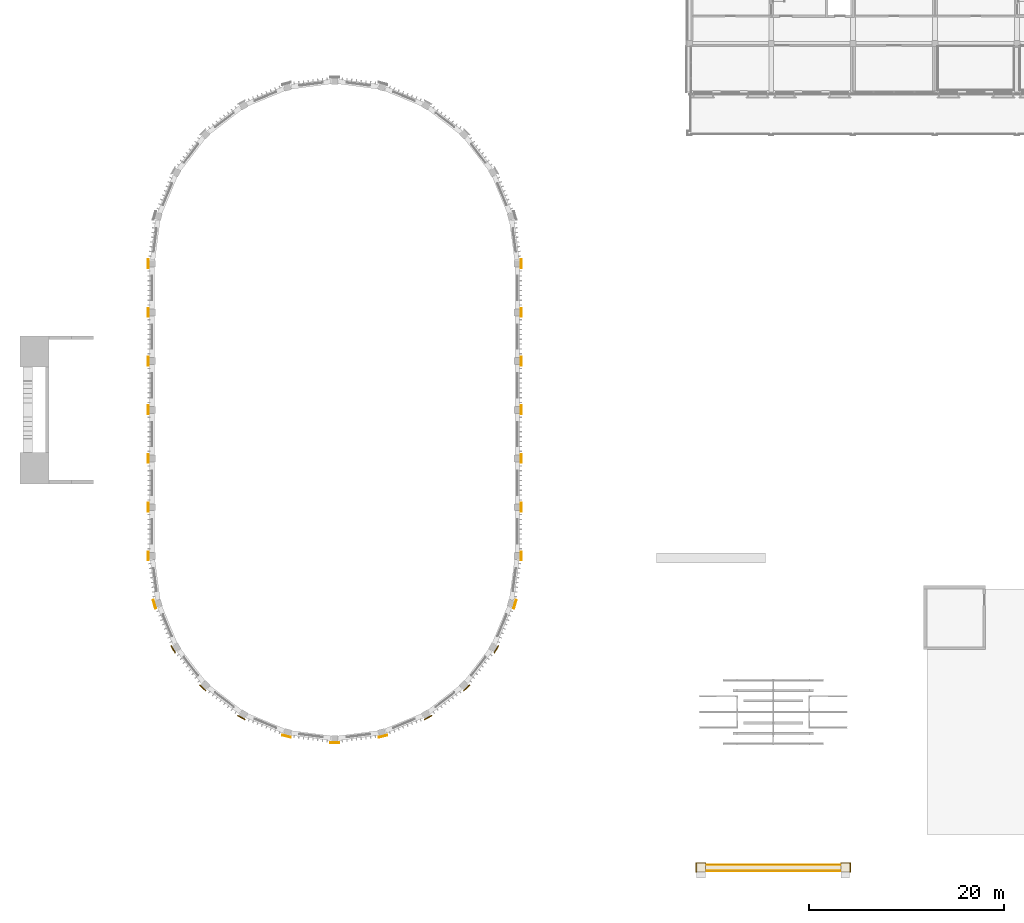
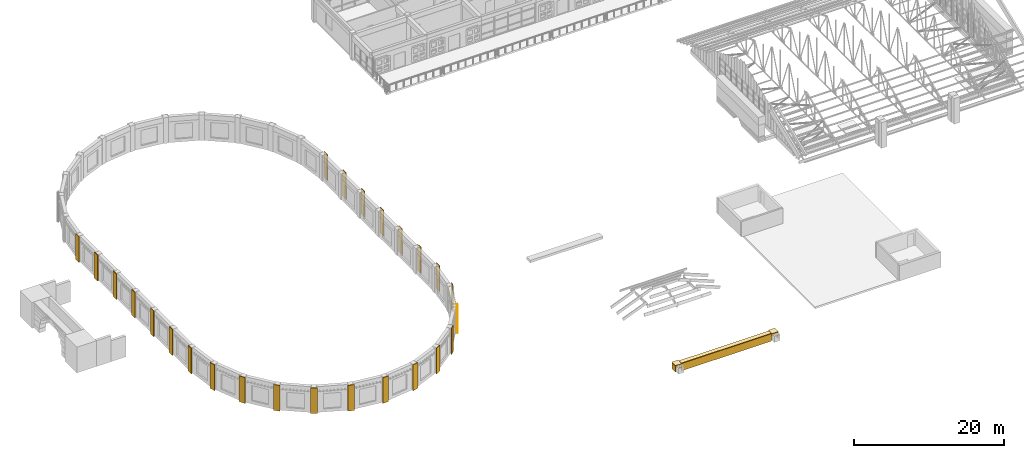
# One storey, part 64 of 71: 32 coverings.
"""IFC4 building model written with IfcOpenShell, lengths in metres."""

from ifc_helpers import new_model, si_unit, direction, frame, origin, origin_2d, place, context, subcontext, project, spatial, polyline, rectangle, outline, extrude, material, layer, layer_set, type_object, element, save


model = new_model("IFC4")

# Units and contexts
model_context = context("Model", 3, precision=1e-05, world=origin(), true_north=direction((0.0, 1.0)))
body_context = subcontext(model_context, "Body", "Model", "MODEL_VIEW")
ifc_project = project(units=[si_unit("LENGTHUNIT", "METRE"), si_unit("AREAUNIT", "SQUARE_METRE"), si_unit("VOLUMEUNIT", "CUBIC_METRE"), si_unit("PLANEANGLEUNIT", "RADIAN"), si_unit("MASSUNIT", "GRAM", prefix="KILO")], contexts=[model_context])

# Site, building, storey
site_placement = place(None, origin())
site = spatial("IfcSite", under=ifc_project, at=site_placement, CompositionType="ELEMENT")
building_placement = place(site_placement, origin())
building = spatial("IfcBuilding", under=site, at=building_placement, Name="Wasatch Bagh Community Centre", CompositionType="ELEMENT")
storey_placement = place(building_placement, frame((0.0, 0.0, 12.60009765625)))
storey = spatial("IfcBuildingStorey", under=building, at=storey_placement, Name="L03", CompositionType="ELEMENT", Elevation=12.60009765625)

# Coverings
ifc_material_1 = material(Name="Cast stone cladding", Category="masonry")
ifc_layer_1 = layer(ifc_material_1, 0.080078125)
ifc_layer_set_1 = layer_set([ifc_layer_1], Name="Cast stone cladding")
covering_type_1 = type_object("IfcCoveringType", Name="CL-B7 beam facing", PredefinedType="CLADDING", material=ifc_layer_set_1)
covering_1_placement = place(storey_placement, frame((0.0, 0.0, -0.2001953125)))
element("IfcCovering", 1, at=covering_1_placement, inside=storey, type_object=covering_type_1, Name="Beam facing", PredefinedType="CLADDING", context=body_context, shape_type="SweptSolid", body=[
    extrude(outline(polyline([(74.050048828125, 3.25), (87.949951171875, 3.25), (87.949951171875, 3.330078125), (74.050048828125, 3.330078125), (74.050048828125, 3.25)])), origin(), (0.0, 0.0, 1.0), 1.2001953125),
])
covering_2_placement = place(storey_placement, frame((0.0, 0.0, -0.2001953125)))
element("IfcCovering", 2, at=covering_2_placement, inside=storey, type_object=covering_type_1, Name="Beam facing", PredefinedType="CLADDING", context=body_context, shape_type="SweptSolid", body=[
    extrude(outline(polyline([(74.050048828125, 2.75), (87.949951171875, 2.75), (87.949951171875, 2.669921875), (74.050048828125, 2.669921875), (74.050048828125, 2.75)])), origin(), (0.0, 0.0, 1.0), 1.2001953125),
])
covering_3_placement = place(storey_placement, frame((0.0, 0.0, 1.0)))
element("IfcCovering", 3, at=covering_3_placement, inside=storey, type_object=covering_type_1, Name="Beam facing", PredefinedType="CLADDING", context=body_context, shape_type="SweptSolid", body=[
    extrude(outline(polyline([(74.050048828125, 2.669921875), (87.949951171875, 2.669921875), (87.949951171875, 3.330078125), (74.050048828125, 3.330078125), (74.050048828125, 2.669921875)])), origin(), (0.0, 0.0, 1.0), 0.079833984375),
])
ifc_layer_2 = layer(ifc_material_1, 0.080078125)
ifc_layer_set_2 = layer_set([ifc_layer_2], Name="Cast stone cladding")
covering_type_2 = type_object("IfcCoveringType", Name="CL-C1 column facing", PredefinedType="CLADDING", material=ifc_layer_set_2)
covering_4_placement = place(storey_placement, origin())
element("IfcCovering", 4, at=covering_4_placement, inside=storey, type_object=covering_type_2, Name="Column facing", PredefinedType="CLADDING", context=body_context, shape_type="SweptSolid", body=[
    extrude(outline(polyline([(73.14990234375, 2.550048828125), (73.070068359375, 2.550048828125), (73.070068359375, 3.530029296875), (74.050048828125, 3.530029296875), (74.050048828125, 3.449951171875), (73.14990234375, 3.449951171875), (73.14990234375, 2.550048828125)])), origin(), (0.0, 0.0, 1.0), 1.0),
])
covering_5_placement = place(storey_placement, frame((0.0, 0.0, 1.0)))
element("IfcCovering", 5, at=covering_5_placement, inside=storey, type_object=covering_type_2, Name="Column facing", PredefinedType="CLADDING", context=body_context, shape_type="SweptSolid", body=[
    extrude(outline(polyline([(73.070068359375, 2.550048828125), (73.070068359375, 3.449951171875), (73.14990234375, 3.449951171875), (73.14990234375, 3.530029296875), (74.050048828125, 3.530029296875), (74.050048828125, 2.550048828125), (73.070068359375, 2.550048828125)])), origin(), (0.0, 0.0, 1.0), 0.079833984375),
])
covering_6_placement = place(storey_placement, origin())
element("IfcCovering", 6, at=covering_6_placement, inside=storey, type_object=covering_type_2, Name="Column facing", PredefinedType="CLADDING", context=body_context, shape_type="SweptSolid", body=[
    extrude(outline(polyline([(88.85009765625, 3.449951171875), (87.949951171875, 3.449951171875), (87.949951171875, 3.530029296875), (88.929931640625, 3.530029296875), (88.929931640625, 2.550048828125), (88.85009765625, 2.550048828125), (88.85009765625, 3.449951171875)])), origin(), (0.0, 0.0, 1.0), 1.0),
])
covering_7_placement = place(storey_placement, frame((0.0, 0.0, 1.0)))
element("IfcCovering", 7, at=covering_7_placement, inside=storey, type_object=covering_type_2, Name="Column facing", PredefinedType="CLADDING", context=body_context, shape_type="SweptSolid", body=[
    extrude(outline(polyline([(87.949951171875, 2.550048828125), (87.949951171875, 3.530029296875), (88.85009765625, 3.530029296875), (88.85009765625, 3.449951171875), (88.929931640625, 3.449951171875), (88.929931640625, 2.550048828125), (87.949951171875, 2.550048828125)])), origin(), (0.0, 0.0, 1.0), 0.079833984375),
])
ifc_material_2 = material(Name="White precast concrete C40/50", Category="concrete")
ifc_layer_3 = layer(ifc_material_2, 0.10009765625)
ifc_layer_set_3 = layer_set([ifc_layer_3], Name="White precast concrete C40/50")
covering_type_3 = type_object("IfcCoveringType", Name="MH column casing", PredefinedType="CLADDING", material=ifc_layer_set_3)
for number, where, z_axis, x_axis, name in (
    (8, (16.85009765625, 35.0, 0.0), (0.0, 0.0, 1.0), (0.0, -1.0, 0.0), "Column casing W1 L03"),
    (9, (16.85009765625, 40.0, 0.0), (0.0, 0.0, 1.0), (0.0, -1.0, 0.0), "Column casing W2 L03"),
    (10, (16.85009765625, 45.0, 0.0), (0.0, 0.0, 1.0), (0.0, -1.0, 0.0), "Column casing W3 L03"),
    (11, (16.85009765625, 50.0, 0.0), (0.0, 0.0, 1.0), (0.0, -1.0, 0.0), "Column casing W4 L03"),
    (12, (16.85009765625, 55.0, 0.0), (0.0, 0.0, 1.0), (0.0, -1.0, 0.0), "Column casing W5 L03"),
    (13, (16.85009765625, 60.0, 0.0), (0.0, 0.0, 1.0), (0.0, -1.0, 0.0), "Column casing W6 L03"),
    (14, (16.85009765625, 65.0, 0.0), (0.0, 0.0, 1.0), (0.0, -1.0, 0.0), "Column casing W7 L03"),
    (15, (55.14990234375, 35.0, 0.0), (0.0, 0.0, 1.0), (0.0, 1.0, 0.0), "Column casing E1 L03"),
    (16, (55.14990234375, 40.0, 0.0), (0.0, 0.0, 1.0), (0.0, 1.0, 0.0), "Column casing E2 L03"),
    (17, (55.14990234375, 45.0, 0.0), (0.0, 0.0, 1.0), (0.0, 1.0, 0.0), "Column casing E3 L03"),
    (18, (55.14990234375, 50.0, 0.0), (0.0, 0.0, 1.0), (0.0, 1.0, 0.0), "Column casing E4 L03"),
    (19, (55.14990234375, 55.0, 0.0), (0.0, 0.0, 1.0), (0.0, 1.0, 0.0), "Column casing E5 L03"),
    (20, (55.14990234375, 60.0, 0.0), (0.0, 0.0, 1.0), (0.0, 1.0, 0.0), "Column casing E6 L03"),
    (21, (55.14990234375, 65.0, 0.0), (0.0, 0.0, 1.0), (0.0, 1.0, 0.0), "Column casing E7 L03"),
    (22, (17.50244140625, 30.043701171875, 0.0), (0.0, 0.0, 1.0), (0.258819045103, -0.965925826289, 0.0), "Column casing S1 L03"),
    (23, (19.41552734375, 25.425048828125, 0.0), (0.0, 0.0, 1.0), (0.5, -0.866025403784, 0.0), "Column casing S2 L03"),
    (24, (22.458984375, 21.458984375, 0.0), (0.0, 0.0, 1.0), (0.707106781187, -0.707106781187, 0.0), "Column casing S3 L03"),
    (25, (26.425048828125, 18.41552734375, 0.0), (0.0, 0.0, 1.0), (0.866025403784, -0.5, 0.0), "Column casing S4 L03"),
    (26, (31.043701171875, 16.50244140625, 0.0), (0.0, 0.0, 1.0), (0.965925826289, -0.258819045103, 0.0), "Column casing S5 L03"),
    (27, (36.0, 15.85009765625, 0.0), (0.0, 0.0, 1.0), (1.0, 0.0, 0.0), "Column casing S6 L03"),
    (28, (40.956298828125, 16.50244140625, 0.0), (0.0, 0.0, 1.0), (0.965925826289, 0.258819045103, 0.0), "Column casing S7 L03"),
    (29, (45.574951171875, 18.41552734375, 0.0), (0.0, 0.0, 1.0), (0.866025403784, 0.5, 0.0), "Column casing S8 L03"),
    (30, (49.541015625, 21.458984375, 0.0), (0.0, 0.0, 1.0), (0.707106781187, 0.707106781187, 0.0), "Column casing S9 L03"),
    (31, (52.58447265625, 25.425048828125, 0.0), (0.0, 0.0, 1.0), (0.5, 0.866025403784, 0.0), "Column casing S10 L03"),
    (32, (54.49755859375, 30.043701171875, 0.0), (0.0, 0.0, 1.0), (0.258819045103, 0.965925826289, 0.0), "Column casing S11 L03"),
):
    element("IfcCovering", number, at=place(storey_placement, frame(where, z_axis=z_axis, x_axis=x_axis)), inside=storey, type_object=covering_type_3, Name=name, PredefinedType="CLADDING", context=body_context, shape_type="SweptSolid", body=[
        extrude(rectangle(XDim=0.89990234375, YDim=0.10009765625, at=origin_2d()), origin(), (0.0, 0.0, 1.0), 4.199951171875),
    ])

save(model, "model.ifc")
